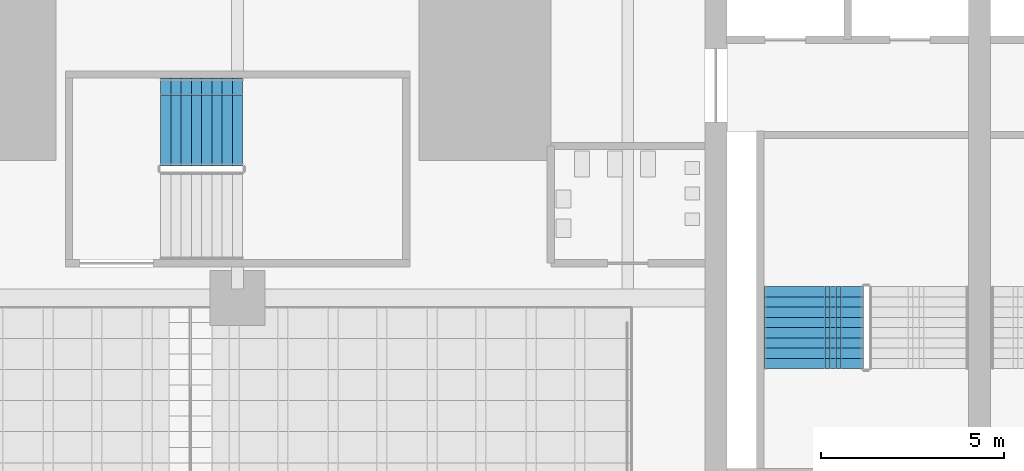
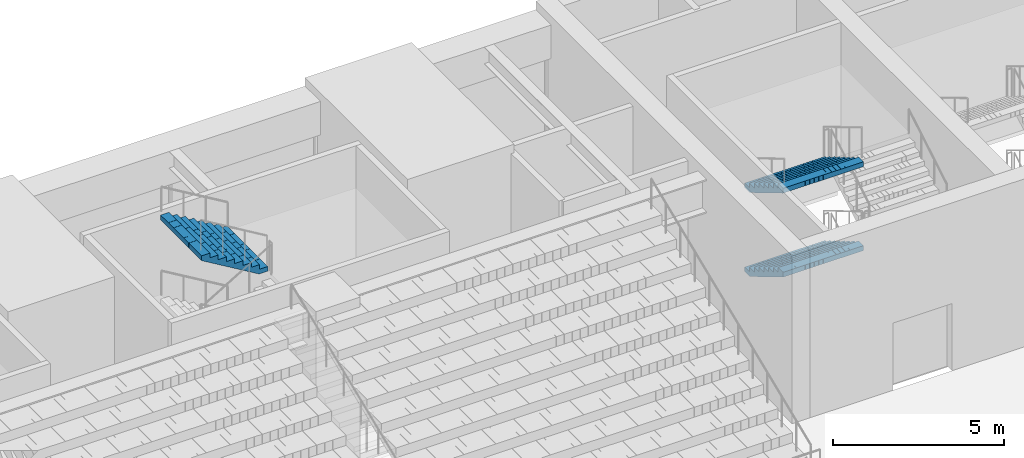
# One storey, part 48 of 61: 3 stair flights, 2 elements without a shape of their own.
"""IFC4 building model written with IfcOpenShell, lengths in metres."""

from ifc_helpers import new_model, si_unit, direction, frame, origin, place, context, subcontext, project, spatial, polyline, outline, extrude, material, type_object, element, aggregate, save


model = new_model("IFC4")

# Units and contexts
model_context = context("Model", 3, precision=1e-05, world=origin(), true_north=direction((0.0, 1.0)))
body_context = subcontext(model_context, "Body", "Model", "MODEL_VIEW")
ifc_project = project(units=[si_unit("LENGTHUNIT", "METRE"), si_unit("AREAUNIT", "SQUARE_METRE"), si_unit("VOLUMEUNIT", "CUBIC_METRE"), si_unit("PLANEANGLEUNIT", "RADIAN"), si_unit("MASSUNIT", "GRAM", prefix="KILO")], contexts=[model_context])

# Site, building, storey
site_placement = place(None, origin())
site = spatial("IfcSite", under=ifc_project, at=site_placement, CompositionType="ELEMENT")
building_placement = place(site_placement, origin())
building = spatial("IfcBuilding", under=site, at=building_placement, Name="Corbelhall Arena Tower", CompositionType="ELEMENT")
storey_placement = place(building_placement, frame((0.0, 0.0, 31.0)))
storey = spatial("IfcBuildingStorey", under=building, at=storey_placement, Name="L04", CompositionType="ELEMENT", Elevation=31.0)

# Stair, stair flight
ifc_material = material(Name="Reinforced concrete C40/50", Category="concrete")
stair_type = type_object("IfcStairType", Name="AR-EXIT-STAIR", PredefinedType="HALF_TURN_STAIR", material=ifc_material)
stair_1_placement = place(storey_placement, origin())
stair_1 = element("IfcStair", 1, at=stair_1_placement, inside=storey, type_object=stair_type, Name="L04 exit stair AS12", PredefinedType="HALF_TURN_STAIR")
stair_flight_type = type_object("IfcStairFlightType", Name="AR-EXIT-FLIGHT", PredefinedType="STRAIGHT", material=ifc_material)
stair_flight_1_placement = place(storey_placement, frame((20.389892578125, 34.050048828125, 4.5), z_axis=(0.0, 0.0, 1.0), x_axis=(-1.0, 0.0, 0.0)))
stair_flight_1 = element("IfcStairFlight", 2, at=stair_flight_1_placement, type_object=stair_flight_type, Name="AS12 flight 4", NumberOfRisers=9, NumberOfTreads=8, PredefinedType="STRAIGHT", RiserHeight=0.166666667, TreadLength=0.28, context=body_context, shape_type="SweptSolid", body=[
    extrude(outline(polyline([(0.0, 0.0), (0.0, 0.166748046875), (0.280029296875, 0.166748046875), (0.280029296875, 0.333251953125), (0.56005859375, 0.333251953125), (0.56005859375, 0.5), (0.840087890625, 0.5), (0.840087890625, 0.666748046875), (1.1201171875, 0.666748046875), (1.1201171875, 0.833251953125), (1.39990234375, 0.833251953125), (1.39990234375, 1.0), (1.679931640625, 1.0), (1.679931640625, 1.166748046875), (1.9599609375, 1.166748046875), (1.9599609375, 1.333251953125), (2.239990234375, 1.333251953125), (2.239990234375, 1.5), (2.239990234375, 1.158935546875), (0.29296875, 0.0), (0.0, 0.0)])), frame((0.0, 1.199951171875, 0.0), z_axis=(0.0, -1.0, 0.0), x_axis=(1.0, 0.0, 0.0)), (0.0, 0.0, 1.0), 0.449951171875),
    extrude(outline(polyline([(0.0, 0.0), (0.0, 0.166748046875), (0.280029296875, 0.166748046875), (0.280029296875, 0.333251953125), (0.56005859375, 0.333251953125), (0.56005859375, 0.5), (0.840087890625, 0.5), (0.840087890625, 0.666748046875), (1.1201171875, 0.666748046875), (1.1201171875, 0.833251953125), (1.39990234375, 0.833251953125), (1.39990234375, 1.0), (1.679931640625, 1.0), (1.679931640625, 1.166748046875), (1.9599609375, 1.166748046875), (1.9599609375, 1.333251953125), (2.239990234375, 1.333251953125), (2.239990234375, 1.5), (2.239990234375, 1.158935546875), (0.29296875, 0.0), (0.0, 0.0)])), frame((0.0, 0.745849609375, 0.0), z_axis=(0.0, -1.0, 0.0), x_axis=(1.0, 0.0, 0.0)), (0.0, 0.0, 1.0), 0.295166015625),
    extrude(outline(polyline([(0.0, 0.0), (0.0, 0.166748046875), (0.280029296875, 0.166748046875), (0.280029296875, 0.333251953125), (0.56005859375, 0.333251953125), (0.56005859375, 0.5), (0.840087890625, 0.5), (0.840087890625, 0.666748046875), (1.1201171875, 0.666748046875), (1.1201171875, 0.833251953125), (1.39990234375, 0.833251953125), (1.39990234375, 1.0), (1.679931640625, 1.0), (1.679931640625, 1.166748046875), (1.9599609375, 1.166748046875), (1.9599609375, 1.333251953125), (2.239990234375, 1.333251953125), (2.239990234375, 1.5), (2.239990234375, 1.158935546875), (0.29296875, 0.0), (0.0, 0.0)])), frame((0.0, 0.44677734375, 0.0), z_axis=(0.0, -1.0, 0.0), x_axis=(1.0, 0.0, 0.0)), (0.0, 0.0, 1.0), 0.295166015625),
    extrude(outline(polyline([(0.0, 0.0), (0.0, 0.166748046875), (0.280029296875, 0.166748046875), (0.280029296875, 0.333251953125), (0.56005859375, 0.333251953125), (0.56005859375, 0.5), (0.840087890625, 0.5), (0.840087890625, 0.666748046875), (1.1201171875, 0.666748046875), (1.1201171875, 0.833251953125), (1.39990234375, 0.833251953125), (1.39990234375, 1.0), (1.679931640625, 1.0), (1.679931640625, 1.166748046875), (1.9599609375, 1.166748046875), (1.9599609375, 1.333251953125), (2.239990234375, 1.333251953125), (2.239990234375, 1.5), (2.239990234375, 1.158935546875), (0.29296875, 0.0), (0.0, 0.0)])), frame((0.0, 0.147705078125, 0.0), z_axis=(0.0, -1.0, 0.0), x_axis=(1.0, 0.0, 0.0)), (0.0, 0.0, 1.0), 0.295166015625),
    extrude(outline(polyline([(0.0, 0.0), (0.0, 0.166748046875), (0.280029296875, 0.166748046875), (0.280029296875, 0.333251953125), (0.56005859375, 0.333251953125), (0.56005859375, 0.5), (0.840087890625, 0.5), (0.840087890625, 0.666748046875), (1.1201171875, 0.666748046875), (1.1201171875, 0.833251953125), (1.39990234375, 0.833251953125), (1.39990234375, 1.0), (1.679931640625, 1.0), (1.679931640625, 1.166748046875), (1.9599609375, 1.166748046875), (1.9599609375, 1.333251953125), (2.239990234375, 1.333251953125), (2.239990234375, 1.5), (2.239990234375, 1.158935546875), (0.29296875, 0.0), (0.0, 0.0)])), frame((0.0, -0.151611328125, 0.0), z_axis=(0.0, -1.0, 0.0), x_axis=(1.0, 0.0, 0.0)), (0.0, 0.0, 1.0), 0.295166015625),
    extrude(outline(polyline([(0.0, 0.0), (0.0, 0.166748046875), (0.280029296875, 0.166748046875), (0.280029296875, 0.333251953125), (0.56005859375, 0.333251953125), (0.56005859375, 0.5), (0.840087890625, 0.5), (0.840087890625, 0.666748046875), (1.1201171875, 0.666748046875), (1.1201171875, 0.833251953125), (1.39990234375, 0.833251953125), (1.39990234375, 1.0), (1.679931640625, 1.0), (1.679931640625, 1.166748046875), (1.9599609375, 1.166748046875), (1.9599609375, 1.333251953125), (2.239990234375, 1.333251953125), (2.239990234375, 1.5), (2.239990234375, 1.158935546875), (0.29296875, 0.0), (0.0, 0.0)])), frame((0.0, -0.45068359375, 0.0), z_axis=(0.0, -1.0, 0.0), x_axis=(1.0, 0.0, 0.0)), (0.0, 0.0, 1.0), 0.295166015625),
    extrude(outline(polyline([(0.0, 0.0), (0.0, 0.166748046875), (0.280029296875, 0.166748046875), (0.280029296875, 0.333251953125), (0.56005859375, 0.333251953125), (0.56005859375, 0.5), (0.840087890625, 0.5), (0.840087890625, 0.666748046875), (1.1201171875, 0.666748046875), (1.1201171875, 0.833251953125), (1.39990234375, 0.833251953125), (1.39990234375, 1.0), (1.679931640625, 1.0), (1.679931640625, 1.166748046875), (1.9599609375, 1.166748046875), (1.9599609375, 1.333251953125), (2.239990234375, 1.333251953125), (2.239990234375, 1.5), (2.239990234375, 1.158935546875), (0.29296875, 0.0), (0.0, 0.0)])), frame((0.0, -0.75, 0.0), z_axis=(0.0, -1.0, 0.0), x_axis=(1.0, 0.0, 0.0)), (0.0, 0.0, 1.0), 0.449951171875),
])
aggregate(stair_1, [stair_flight_1])

# Stair, stair flights
stair_2_placement = place(storey_placement, origin())
stair_2 = element("IfcStair", 3, at=stair_2_placement, inside=storey, type_object=stair_type, Name="L04 exit stair AS1", PredefinedType="HALF_TURN_STAIR")
stair_flight_2_placement = place(storey_placement, frame((35.969970703125, 29.56005859375, 1.5), z_axis=(0.0, 0.0, 1.0), x_axis=(0.0, -1.0, 0.0)))
stair_flight_2 = element("IfcStairFlight", 4, at=stair_flight_2_placement, type_object=stair_flight_type, Name="AS1 flight 2", NumberOfRisers=9, NumberOfTreads=8, PredefinedType="STRAIGHT", RiserHeight=0.166666667, TreadLength=0.28, context=body_context, shape_type="SweptSolid", body=[
    extrude(outline(polyline([(0.0, 0.0), (0.0, 0.166748046875), (0.280029296875, 0.166748046875), (0.280029296875, 0.333251953125), (0.56005859375, 0.333251953125), (0.56005859375, 0.5), (0.840087890625, 0.5), (0.840087890625, 0.666748046875), (1.1201171875, 0.666748046875), (1.1201171875, 0.833251953125), (1.39990234375, 0.833251953125), (1.39990234375, 1.0), (1.679931640625, 1.0), (1.679931640625, 1.166748046875), (1.9599609375, 1.166748046875), (1.9599609375, 1.333251953125), (2.239990234375, 1.333251953125), (2.239990234375, 1.5), (2.239990234375, 1.158935546875), (0.29296875, 0.0), (0.0, 0.0)])), frame((0.0, 1.35986328125, 0.0), z_axis=(0.0, -1.0, 0.0), x_axis=(1.0, 0.0, 0.0)), (0.0, 0.0, 1.0), 0.449951171875),
    extrude(outline(polyline([(0.0, 0.0), (0.0, 0.166748046875), (0.280029296875, 0.166748046875), (0.280029296875, 0.333251953125), (0.56005859375, 0.333251953125), (0.56005859375, 0.5), (0.840087890625, 0.5), (0.840087890625, 0.666748046875), (1.1201171875, 0.666748046875), (1.1201171875, 0.833251953125), (1.39990234375, 0.833251953125), (1.39990234375, 1.0), (1.679931640625, 1.0), (1.679931640625, 1.166748046875), (1.9599609375, 1.166748046875), (1.9599609375, 1.333251953125), (2.239990234375, 1.333251953125), (2.239990234375, 1.5), (2.239990234375, 1.158935546875), (0.29296875, 0.0), (0.0, 0.0)])), frame((0.0, 0.906005859375, 0.0), z_axis=(0.0, -1.0, 0.0), x_axis=(1.0, 0.0, 0.0)), (0.0, 0.0, 1.0), 0.147216796875),
    extrude(outline(polyline([(0.0, 0.0), (0.0, 0.166748046875), (0.280029296875, 0.166748046875), (0.280029296875, 0.333251953125), (0.56005859375, 0.333251953125), (0.56005859375, 0.5), (0.840087890625, 0.5), (0.840087890625, 0.666748046875), (1.1201171875, 0.666748046875), (1.1201171875, 0.833251953125), (1.39990234375, 0.833251953125), (1.39990234375, 1.0), (1.679931640625, 1.0), (1.679931640625, 1.166748046875), (1.9599609375, 1.166748046875), (1.9599609375, 1.333251953125), (2.239990234375, 1.333251953125), (2.239990234375, 1.5), (2.239990234375, 1.158935546875), (0.29296875, 0.0), (0.0, 0.0)])), frame((0.0, 0.754638671875, 0.0), z_axis=(0.0, -1.0, 0.0), x_axis=(1.0, 0.0, 0.0)), (0.0, 0.0, 1.0), 0.147216796875),
    extrude(outline(polyline([(0.0, 0.0), (0.0, 0.166748046875), (0.280029296875, 0.166748046875), (0.280029296875, 0.333251953125), (0.56005859375, 0.333251953125), (0.56005859375, 0.5), (0.840087890625, 0.5), (0.840087890625, 0.666748046875), (1.1201171875, 0.666748046875), (1.1201171875, 0.833251953125), (1.39990234375, 0.833251953125), (1.39990234375, 1.0), (1.679931640625, 1.0), (1.679931640625, 1.166748046875), (1.9599609375, 1.166748046875), (1.9599609375, 1.333251953125), (2.239990234375, 1.333251953125), (2.239990234375, 1.5), (2.239990234375, 1.158935546875), (0.29296875, 0.0), (0.0, 0.0)])), frame((0.0, 0.603271484375, 0.0), z_axis=(0.0, -1.0, 0.0), x_axis=(1.0, 0.0, 0.0)), (0.0, 0.0, 1.0), 0.147216796875),
    extrude(outline(polyline([(0.0, 0.0), (0.0, 0.166748046875), (0.280029296875, 0.166748046875), (0.280029296875, 0.333251953125), (0.56005859375, 0.333251953125), (0.56005859375, 0.5), (0.840087890625, 0.5), (0.840087890625, 0.666748046875), (1.1201171875, 0.666748046875), (1.1201171875, 0.833251953125), (1.39990234375, 0.833251953125), (1.39990234375, 1.0), (1.679931640625, 1.0), (1.679931640625, 1.166748046875), (1.9599609375, 1.166748046875), (1.9599609375, 1.333251953125), (2.239990234375, 1.333251953125), (2.239990234375, 1.5), (2.239990234375, 1.158935546875), (0.29296875, 0.0), (0.0, 0.0)])), frame((0.0, 0.451904296875, 0.0), z_axis=(0.0, -1.0, 0.0), x_axis=(1.0, 0.0, 0.0)), (0.0, 0.0, 1.0), 0.147216796875),
    extrude(outline(polyline([(0.0, 0.0), (0.0, 0.166748046875), (0.280029296875, 0.166748046875), (0.280029296875, 0.333251953125), (0.56005859375, 0.333251953125), (0.56005859375, 0.5), (0.840087890625, 0.5), (0.840087890625, 0.666748046875), (1.1201171875, 0.666748046875), (1.1201171875, 0.833251953125), (1.39990234375, 0.833251953125), (1.39990234375, 1.0), (1.679931640625, 1.0), (1.679931640625, 1.166748046875), (1.9599609375, 1.166748046875), (1.9599609375, 1.333251953125), (2.239990234375, 1.333251953125), (2.239990234375, 1.5), (2.239990234375, 1.158935546875), (0.29296875, 0.0), (0.0, 0.0)])), frame((0.0, 0.30078125, 0.0), z_axis=(0.0, -1.0, 0.0), x_axis=(1.0, 0.0, 0.0)), (0.0, 0.0, 1.0), 0.147216796875),
    extrude(outline(polyline([(0.0, 0.0), (0.0, 0.166748046875), (0.280029296875, 0.166748046875), (0.280029296875, 0.333251953125), (0.56005859375, 0.333251953125), (0.56005859375, 0.5), (0.840087890625, 0.5), (0.840087890625, 0.666748046875), (1.1201171875, 0.666748046875), (1.1201171875, 0.833251953125), (1.39990234375, 0.833251953125), (1.39990234375, 1.0), (1.679931640625, 1.0), (1.679931640625, 1.166748046875), (1.9599609375, 1.166748046875), (1.9599609375, 1.333251953125), (2.239990234375, 1.333251953125), (2.239990234375, 1.5), (2.239990234375, 1.158935546875), (0.29296875, 0.0), (0.0, 0.0)])), frame((0.0, 0.1494140625, 0.0), z_axis=(0.0, -1.0, 0.0), x_axis=(1.0, 0.0, 0.0)), (0.0, 0.0, 1.0), 0.147216796875),
    extrude(outline(polyline([(0.0, 0.0), (0.0, 0.166748046875), (0.280029296875, 0.166748046875), (0.280029296875, 0.333251953125), (0.56005859375, 0.333251953125), (0.56005859375, 0.5), (0.840087890625, 0.5), (0.840087890625, 0.666748046875), (1.1201171875, 0.666748046875), (1.1201171875, 0.833251953125), (1.39990234375, 0.833251953125), (1.39990234375, 1.0), (1.679931640625, 1.0), (1.679931640625, 1.166748046875), (1.9599609375, 1.166748046875), (1.9599609375, 1.333251953125), (2.239990234375, 1.333251953125), (2.239990234375, 1.5), (2.239990234375, 1.158935546875), (0.29296875, 0.0), (0.0, 0.0)])), frame((0.0, -0.001953125, 0.0), z_axis=(0.0, -1.0, 0.0), x_axis=(1.0, 0.0, 0.0)), (0.0, 0.0, 1.0), 0.147216796875),
    extrude(outline(polyline([(0.0, 0.0), (0.0, 0.166748046875), (0.280029296875, 0.166748046875), (0.280029296875, 0.333251953125), (0.56005859375, 0.333251953125), (0.56005859375, 0.5), (0.840087890625, 0.5), (0.840087890625, 0.666748046875), (1.1201171875, 0.666748046875), (1.1201171875, 0.833251953125), (1.39990234375, 0.833251953125), (1.39990234375, 1.0), (1.679931640625, 1.0), (1.679931640625, 1.166748046875), (1.9599609375, 1.166748046875), (1.9599609375, 1.333251953125), (2.239990234375, 1.333251953125), (2.239990234375, 1.5), (2.239990234375, 1.158935546875), (0.29296875, 0.0), (0.0, 0.0)])), frame((0.0, -0.1533203125, 0.0), z_axis=(0.0, -1.0, 0.0), x_axis=(1.0, 0.0, 0.0)), (0.0, 0.0, 1.0), 0.147216796875),
    extrude(outline(polyline([(0.0, 0.0), (0.0, 0.166748046875), (0.280029296875, 0.166748046875), (0.280029296875, 0.333251953125), (0.56005859375, 0.333251953125), (0.56005859375, 0.5), (0.840087890625, 0.5), (0.840087890625, 0.666748046875), (1.1201171875, 0.666748046875), (1.1201171875, 0.833251953125), (1.39990234375, 0.833251953125), (1.39990234375, 1.0), (1.679931640625, 1.0), (1.679931640625, 1.166748046875), (1.9599609375, 1.166748046875), (1.9599609375, 1.333251953125), (2.239990234375, 1.333251953125), (2.239990234375, 1.5), (2.239990234375, 1.158935546875), (0.29296875, 0.0), (0.0, 0.0)])), frame((0.0, -0.3046875, 0.0), z_axis=(0.0, -1.0, 0.0), x_axis=(1.0, 0.0, 0.0)), (0.0, 0.0, 1.0), 0.147216796875),
    extrude(outline(polyline([(0.0, 0.0), (0.0, 0.166748046875), (0.280029296875, 0.166748046875), (0.280029296875, 0.333251953125), (0.56005859375, 0.333251953125), (0.56005859375, 0.5), (0.840087890625, 0.5), (0.840087890625, 0.666748046875), (1.1201171875, 0.666748046875), (1.1201171875, 0.833251953125), (1.39990234375, 0.833251953125), (1.39990234375, 1.0), (1.679931640625, 1.0), (1.679931640625, 1.166748046875), (1.9599609375, 1.166748046875), (1.9599609375, 1.333251953125), (2.239990234375, 1.333251953125), (2.239990234375, 1.5), (2.239990234375, 1.158935546875), (0.29296875, 0.0), (0.0, 0.0)])), frame((0.0, -0.4560546875, 0.0), z_axis=(0.0, -1.0, 0.0), x_axis=(1.0, 0.0, 0.0)), (0.0, 0.0, 1.0), 0.147216796875),
    extrude(outline(polyline([(0.0, 0.0), (0.0, 0.166748046875), (0.280029296875, 0.166748046875), (0.280029296875, 0.333251953125), (0.56005859375, 0.333251953125), (0.56005859375, 0.5), (0.840087890625, 0.5), (0.840087890625, 0.666748046875), (1.1201171875, 0.666748046875), (1.1201171875, 0.833251953125), (1.39990234375, 0.833251953125), (1.39990234375, 1.0), (1.679931640625, 1.0), (1.679931640625, 1.166748046875), (1.9599609375, 1.166748046875), (1.9599609375, 1.333251953125), (2.239990234375, 1.333251953125), (2.239990234375, 1.5), (2.239990234375, 1.158935546875), (0.29296875, 0.0), (0.0, 0.0)])), frame((0.0, -0.607421875, 0.0), z_axis=(0.0, -1.0, 0.0), x_axis=(1.0, 0.0, 0.0)), (0.0, 0.0, 1.0), 0.147216796875),
    extrude(outline(polyline([(0.0, 0.0), (0.0, 0.166748046875), (0.280029296875, 0.166748046875), (0.280029296875, 0.333251953125), (0.56005859375, 0.333251953125), (0.56005859375, 0.5), (0.840087890625, 0.5), (0.840087890625, 0.666748046875), (1.1201171875, 0.666748046875), (1.1201171875, 0.833251953125), (1.39990234375, 0.833251953125), (1.39990234375, 1.0), (1.679931640625, 1.0), (1.679931640625, 1.166748046875), (1.9599609375, 1.166748046875), (1.9599609375, 1.333251953125), (2.239990234375, 1.333251953125), (2.239990234375, 1.5), (2.239990234375, 1.158935546875), (0.29296875, 0.0), (0.0, 0.0)])), frame((0.0, -0.758544921875, 0.0), z_axis=(0.0, -1.0, 0.0), x_axis=(1.0, 0.0, 0.0)), (0.0, 0.0, 1.0), 0.147216796875),
    extrude(outline(polyline([(0.0, 0.0), (0.0, 0.166748046875), (0.280029296875, 0.166748046875), (0.280029296875, 0.333251953125), (0.56005859375, 0.333251953125), (0.56005859375, 0.5), (0.840087890625, 0.5), (0.840087890625, 0.666748046875), (1.1201171875, 0.666748046875), (1.1201171875, 0.833251953125), (1.39990234375, 0.833251953125), (1.39990234375, 1.0), (1.679931640625, 1.0), (1.679931640625, 1.166748046875), (1.9599609375, 1.166748046875), (1.9599609375, 1.333251953125), (2.239990234375, 1.333251953125), (2.239990234375, 1.5), (2.239990234375, 1.158935546875), (0.29296875, 0.0), (0.0, 0.0)])), frame((0.0, -0.909912109375, 0.0), z_axis=(0.0, -1.0, 0.0), x_axis=(1.0, 0.0, 0.0)), (0.0, 0.0, 1.0), 0.449951171875),
])
stair_flight_3_placement = place(storey_placement, frame((35.969970703125, 29.56005859375, 4.5), z_axis=(0.0, 0.0, 1.0), x_axis=(0.0, -1.0, 0.0)))
stair_flight_3 = element("IfcStairFlight", 5, at=stair_flight_3_placement, type_object=stair_flight_type, Name="AS1 flight 4", NumberOfRisers=9, NumberOfTreads=8, PredefinedType="STRAIGHT", RiserHeight=0.166666667, TreadLength=0.28, context=body_context, shape_type="SweptSolid", body=[
    extrude(outline(polyline([(0.0, 0.0), (0.0, 0.166748046875), (0.280029296875, 0.166748046875), (0.280029296875, 0.333251953125), (0.56005859375, 0.333251953125), (0.56005859375, 0.5), (0.840087890625, 0.5), (0.840087890625, 0.666748046875), (1.1201171875, 0.666748046875), (1.1201171875, 0.833251953125), (1.39990234375, 0.833251953125), (1.39990234375, 1.0), (1.679931640625, 1.0), (1.679931640625, 1.166748046875), (1.9599609375, 1.166748046875), (1.9599609375, 1.333251953125), (2.239990234375, 1.333251953125), (2.239990234375, 1.5), (2.239990234375, 1.158935546875), (0.29296875, 0.0), (0.0, 0.0)])), frame((0.0, 1.35986328125, 0.0), z_axis=(0.0, -1.0, 0.0), x_axis=(1.0, 0.0, 0.0)), (0.0, 0.0, 1.0), 0.449951171875),
    extrude(outline(polyline([(0.0, 0.0), (0.0, 0.166748046875), (0.280029296875, 0.166748046875), (0.280029296875, 0.333251953125), (0.56005859375, 0.333251953125), (0.56005859375, 0.5), (0.840087890625, 0.5), (0.840087890625, 0.666748046875), (1.1201171875, 0.666748046875), (1.1201171875, 0.833251953125), (1.39990234375, 0.833251953125), (1.39990234375, 1.0), (1.679931640625, 1.0), (1.679931640625, 1.166748046875), (1.9599609375, 1.166748046875), (1.9599609375, 1.333251953125), (2.239990234375, 1.333251953125), (2.239990234375, 1.5), (2.239990234375, 1.158935546875), (0.29296875, 0.0), (0.0, 0.0)])), frame((0.0, 0.906005859375, 0.0), z_axis=(0.0, -1.0, 0.0), x_axis=(1.0, 0.0, 0.0)), (0.0, 0.0, 1.0), 0.147216796875),
    extrude(outline(polyline([(0.0, 0.0), (0.0, 0.166748046875), (0.280029296875, 0.166748046875), (0.280029296875, 0.333251953125), (0.56005859375, 0.333251953125), (0.56005859375, 0.5), (0.840087890625, 0.5), (0.840087890625, 0.666748046875), (1.1201171875, 0.666748046875), (1.1201171875, 0.833251953125), (1.39990234375, 0.833251953125), (1.39990234375, 1.0), (1.679931640625, 1.0), (1.679931640625, 1.166748046875), (1.9599609375, 1.166748046875), (1.9599609375, 1.333251953125), (2.239990234375, 1.333251953125), (2.239990234375, 1.5), (2.239990234375, 1.158935546875), (0.29296875, 0.0), (0.0, 0.0)])), frame((0.0, 0.754638671875, 0.0), z_axis=(0.0, -1.0, 0.0), x_axis=(1.0, 0.0, 0.0)), (0.0, 0.0, 1.0), 0.147216796875),
    extrude(outline(polyline([(0.0, 0.0), (0.0, 0.166748046875), (0.280029296875, 0.166748046875), (0.280029296875, 0.333251953125), (0.56005859375, 0.333251953125), (0.56005859375, 0.5), (0.840087890625, 0.5), (0.840087890625, 0.666748046875), (1.1201171875, 0.666748046875), (1.1201171875, 0.833251953125), (1.39990234375, 0.833251953125), (1.39990234375, 1.0), (1.679931640625, 1.0), (1.679931640625, 1.166748046875), (1.9599609375, 1.166748046875), (1.9599609375, 1.333251953125), (2.239990234375, 1.333251953125), (2.239990234375, 1.5), (2.239990234375, 1.158935546875), (0.29296875, 0.0), (0.0, 0.0)])), frame((0.0, 0.603271484375, 0.0), z_axis=(0.0, -1.0, 0.0), x_axis=(1.0, 0.0, 0.0)), (0.0, 0.0, 1.0), 0.147216796875),
    extrude(outline(polyline([(0.0, 0.0), (0.0, 0.166748046875), (0.280029296875, 0.166748046875), (0.280029296875, 0.333251953125), (0.56005859375, 0.333251953125), (0.56005859375, 0.5), (0.840087890625, 0.5), (0.840087890625, 0.666748046875), (1.1201171875, 0.666748046875), (1.1201171875, 0.833251953125), (1.39990234375, 0.833251953125), (1.39990234375, 1.0), (1.679931640625, 1.0), (1.679931640625, 1.166748046875), (1.9599609375, 1.166748046875), (1.9599609375, 1.333251953125), (2.239990234375, 1.333251953125), (2.239990234375, 1.5), (2.239990234375, 1.158935546875), (0.29296875, 0.0), (0.0, 0.0)])), frame((0.0, 0.451904296875, 0.0), z_axis=(0.0, -1.0, 0.0), x_axis=(1.0, 0.0, 0.0)), (0.0, 0.0, 1.0), 0.147216796875),
    extrude(outline(polyline([(0.0, 0.0), (0.0, 0.166748046875), (0.280029296875, 0.166748046875), (0.280029296875, 0.333251953125), (0.56005859375, 0.333251953125), (0.56005859375, 0.5), (0.840087890625, 0.5), (0.840087890625, 0.666748046875), (1.1201171875, 0.666748046875), (1.1201171875, 0.833251953125), (1.39990234375, 0.833251953125), (1.39990234375, 1.0), (1.679931640625, 1.0), (1.679931640625, 1.166748046875), (1.9599609375, 1.166748046875), (1.9599609375, 1.333251953125), (2.239990234375, 1.333251953125), (2.239990234375, 1.5), (2.239990234375, 1.158935546875), (0.29296875, 0.0), (0.0, 0.0)])), frame((0.0, 0.30078125, 0.0), z_axis=(0.0, -1.0, 0.0), x_axis=(1.0, 0.0, 0.0)), (0.0, 0.0, 1.0), 0.147216796875),
    extrude(outline(polyline([(0.0, 0.0), (0.0, 0.166748046875), (0.280029296875, 0.166748046875), (0.280029296875, 0.333251953125), (0.56005859375, 0.333251953125), (0.56005859375, 0.5), (0.840087890625, 0.5), (0.840087890625, 0.666748046875), (1.1201171875, 0.666748046875), (1.1201171875, 0.833251953125), (1.39990234375, 0.833251953125), (1.39990234375, 1.0), (1.679931640625, 1.0), (1.679931640625, 1.166748046875), (1.9599609375, 1.166748046875), (1.9599609375, 1.333251953125), (2.239990234375, 1.333251953125), (2.239990234375, 1.5), (2.239990234375, 1.158935546875), (0.29296875, 0.0), (0.0, 0.0)])), frame((0.0, 0.1494140625, 0.0), z_axis=(0.0, -1.0, 0.0), x_axis=(1.0, 0.0, 0.0)), (0.0, 0.0, 1.0), 0.147216796875),
    extrude(outline(polyline([(0.0, 0.0), (0.0, 0.166748046875), (0.280029296875, 0.166748046875), (0.280029296875, 0.333251953125), (0.56005859375, 0.333251953125), (0.56005859375, 0.5), (0.840087890625, 0.5), (0.840087890625, 0.666748046875), (1.1201171875, 0.666748046875), (1.1201171875, 0.833251953125), (1.39990234375, 0.833251953125), (1.39990234375, 1.0), (1.679931640625, 1.0), (1.679931640625, 1.166748046875), (1.9599609375, 1.166748046875), (1.9599609375, 1.333251953125), (2.239990234375, 1.333251953125), (2.239990234375, 1.5), (2.239990234375, 1.158935546875), (0.29296875, 0.0), (0.0, 0.0)])), frame((0.0, -0.001953125, 0.0), z_axis=(0.0, -1.0, 0.0), x_axis=(1.0, 0.0, 0.0)), (0.0, 0.0, 1.0), 0.147216796875),
    extrude(outline(polyline([(0.0, 0.0), (0.0, 0.166748046875), (0.280029296875, 0.166748046875), (0.280029296875, 0.333251953125), (0.56005859375, 0.333251953125), (0.56005859375, 0.5), (0.840087890625, 0.5), (0.840087890625, 0.666748046875), (1.1201171875, 0.666748046875), (1.1201171875, 0.833251953125), (1.39990234375, 0.833251953125), (1.39990234375, 1.0), (1.679931640625, 1.0), (1.679931640625, 1.166748046875), (1.9599609375, 1.166748046875), (1.9599609375, 1.333251953125), (2.239990234375, 1.333251953125), (2.239990234375, 1.5), (2.239990234375, 1.158935546875), (0.29296875, 0.0), (0.0, 0.0)])), frame((0.0, -0.1533203125, 0.0), z_axis=(0.0, -1.0, 0.0), x_axis=(1.0, 0.0, 0.0)), (0.0, 0.0, 1.0), 0.147216796875),
    extrude(outline(polyline([(0.0, 0.0), (0.0, 0.166748046875), (0.280029296875, 0.166748046875), (0.280029296875, 0.333251953125), (0.56005859375, 0.333251953125), (0.56005859375, 0.5), (0.840087890625, 0.5), (0.840087890625, 0.666748046875), (1.1201171875, 0.666748046875), (1.1201171875, 0.833251953125), (1.39990234375, 0.833251953125), (1.39990234375, 1.0), (1.679931640625, 1.0), (1.679931640625, 1.166748046875), (1.9599609375, 1.166748046875), (1.9599609375, 1.333251953125), (2.239990234375, 1.333251953125), (2.239990234375, 1.5), (2.239990234375, 1.158935546875), (0.29296875, 0.0), (0.0, 0.0)])), frame((0.0, -0.3046875, 0.0), z_axis=(0.0, -1.0, 0.0), x_axis=(1.0, 0.0, 0.0)), (0.0, 0.0, 1.0), 0.147216796875),
    extrude(outline(polyline([(0.0, 0.0), (0.0, 0.166748046875), (0.280029296875, 0.166748046875), (0.280029296875, 0.333251953125), (0.56005859375, 0.333251953125), (0.56005859375, 0.5), (0.840087890625, 0.5), (0.840087890625, 0.666748046875), (1.1201171875, 0.666748046875), (1.1201171875, 0.833251953125), (1.39990234375, 0.833251953125), (1.39990234375, 1.0), (1.679931640625, 1.0), (1.679931640625, 1.166748046875), (1.9599609375, 1.166748046875), (1.9599609375, 1.333251953125), (2.239990234375, 1.333251953125), (2.239990234375, 1.5), (2.239990234375, 1.158935546875), (0.29296875, 0.0), (0.0, 0.0)])), frame((0.0, -0.4560546875, 0.0), z_axis=(0.0, -1.0, 0.0), x_axis=(1.0, 0.0, 0.0)), (0.0, 0.0, 1.0), 0.147216796875),
    extrude(outline(polyline([(0.0, 0.0), (0.0, 0.166748046875), (0.280029296875, 0.166748046875), (0.280029296875, 0.333251953125), (0.56005859375, 0.333251953125), (0.56005859375, 0.5), (0.840087890625, 0.5), (0.840087890625, 0.666748046875), (1.1201171875, 0.666748046875), (1.1201171875, 0.833251953125), (1.39990234375, 0.833251953125), (1.39990234375, 1.0), (1.679931640625, 1.0), (1.679931640625, 1.166748046875), (1.9599609375, 1.166748046875), (1.9599609375, 1.333251953125), (2.239990234375, 1.333251953125), (2.239990234375, 1.5), (2.239990234375, 1.158935546875), (0.29296875, 0.0), (0.0, 0.0)])), frame((0.0, -0.607421875, 0.0), z_axis=(0.0, -1.0, 0.0), x_axis=(1.0, 0.0, 0.0)), (0.0, 0.0, 1.0), 0.147216796875),
    extrude(outline(polyline([(0.0, 0.0), (0.0, 0.166748046875), (0.280029296875, 0.166748046875), (0.280029296875, 0.333251953125), (0.56005859375, 0.333251953125), (0.56005859375, 0.5), (0.840087890625, 0.5), (0.840087890625, 0.666748046875), (1.1201171875, 0.666748046875), (1.1201171875, 0.833251953125), (1.39990234375, 0.833251953125), (1.39990234375, 1.0), (1.679931640625, 1.0), (1.679931640625, 1.166748046875), (1.9599609375, 1.166748046875), (1.9599609375, 1.333251953125), (2.239990234375, 1.333251953125), (2.239990234375, 1.5), (2.239990234375, 1.158935546875), (0.29296875, 0.0), (0.0, 0.0)])), frame((0.0, -0.758544921875, 0.0), z_axis=(0.0, -1.0, 0.0), x_axis=(1.0, 0.0, 0.0)), (0.0, 0.0, 1.0), 0.147216796875),
    extrude(outline(polyline([(0.0, 0.0), (0.0, 0.166748046875), (0.280029296875, 0.166748046875), (0.280029296875, 0.333251953125), (0.56005859375, 0.333251953125), (0.56005859375, 0.5), (0.840087890625, 0.5), (0.840087890625, 0.666748046875), (1.1201171875, 0.666748046875), (1.1201171875, 0.833251953125), (1.39990234375, 0.833251953125), (1.39990234375, 1.0), (1.679931640625, 1.0), (1.679931640625, 1.166748046875), (1.9599609375, 1.166748046875), (1.9599609375, 1.333251953125), (2.239990234375, 1.333251953125), (2.239990234375, 1.5), (2.239990234375, 1.158935546875), (0.29296875, 0.0), (0.0, 0.0)])), frame((0.0, -0.909912109375, 0.0), z_axis=(0.0, -1.0, 0.0), x_axis=(1.0, 0.0, 0.0)), (0.0, 0.0, 1.0), 0.449951171875),
])
aggregate(stair_2, [stair_flight_2, stair_flight_3])

save(model, "model.ifc")
